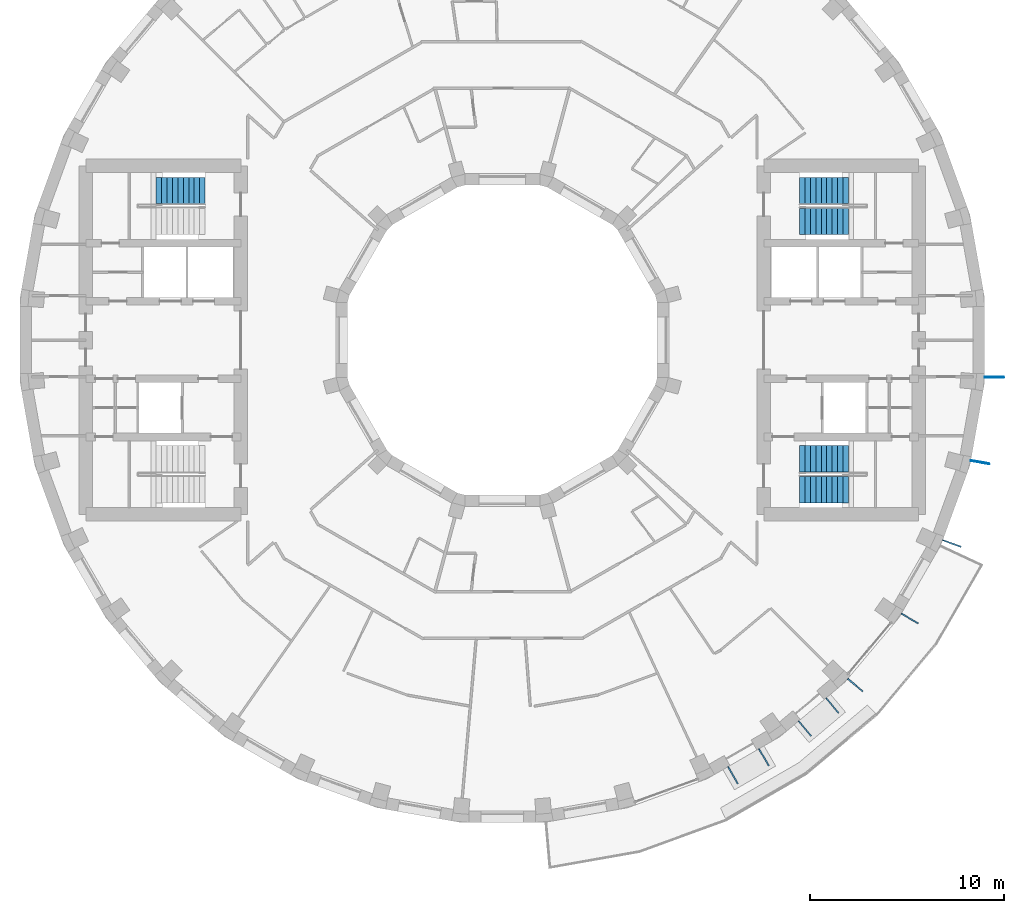
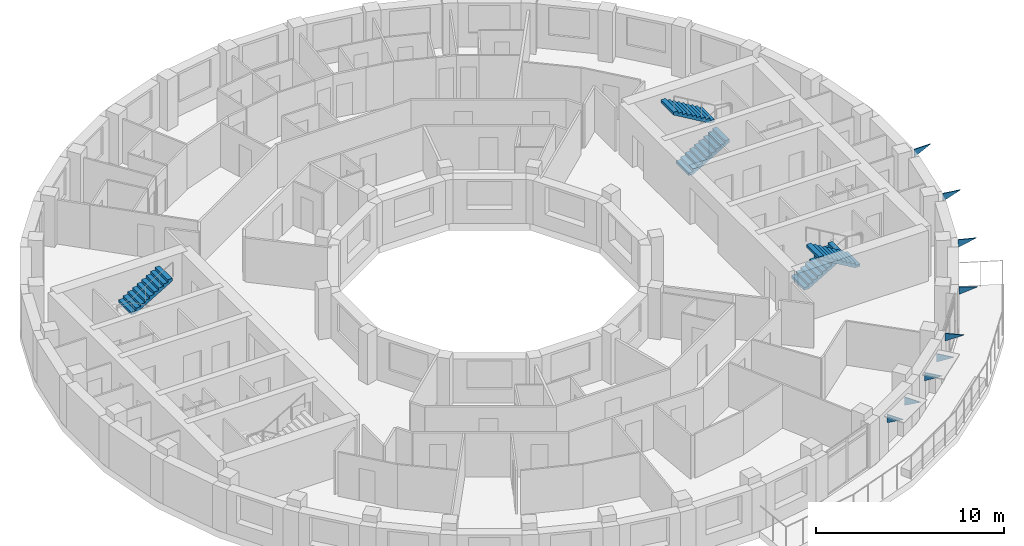
# One storey, part 14 of 15: 9 discrete accessories, 5 stair flights, 3 elements without a shape of their own.
"""IFC4 building model written with IfcOpenShell, lengths in metres."""

from ifc_helpers import new_model, si_unit, direction, frame, origin, place, context, subcontext, project, spatial, polyline, outline, extrude, material, layer, layer_set, type_object, element, aggregate, save


model = new_model("IFC4")

# Units and contexts
model_context = context("Model", 3, precision=1e-05, world=origin(), true_north=direction((0.0, 1.0)))
body_context = subcontext(model_context, "Body", "Model", "MODEL_VIEW")
ifc_project = project(units=[si_unit("LENGTHUNIT", "METRE"), si_unit("AREAUNIT", "SQUARE_METRE"), si_unit("VOLUMEUNIT", "CUBIC_METRE"), si_unit("PLANEANGLEUNIT", "RADIAN"), si_unit("MASSUNIT", "GRAM", prefix="KILO")], contexts=[model_context])

# Site, building, storey
site_placement = place(None, origin())
site = spatial("IfcSite", under=ifc_project, at=site_placement, CompositionType="ELEMENT")
building_placement = place(site_placement, origin())
building = spatial("IfcBuilding", under=site, at=building_placement, Name="Saqina Gate Tower", CompositionType="ELEMENT")
storey_placement = place(building_placement, frame((0.0, 0.0, 167.39990234375)))
storey = spatial("IfcBuildingStorey", under=building, at=storey_placement, Name="L47", CompositionType="ELEMENT", Elevation=167.39990234375)

# Stair, stair flights
ifc_material_1 = material(Name="Concrete C40/50", Category="concrete")
stair_type = type_object("IfcStairType", Name="EXIT STAIR", PredefinedType="HALF_TURN_STAIR", material=ifc_material_1)
stair_1_placement = place(storey_placement, origin())
stair_1 = element("IfcStair", 1, at=stair_1_placement, inside=storey, type_object=stair_type, Name="EXIT STAIR 1", PredefinedType="HALF_TURN_STAIR")
ifc_material_2 = material(Name="Concrete C40/50", Category="concrete")
stair_flight_type = type_object("IfcStairFlightType", Name="EXIT STAIR FLIGHT", PredefinedType="STRAIGHT", material=ifc_material_2)
stair_flight_1_placement = place(storey_placement, frame((15.35009765625, 6.125, 0.0), z_axis=(0.0, 0.0, 1.0), x_axis=(1.0, 0.0, 0.0)))
stair_flight_1 = element("IfcStairFlight", 2, at=stair_flight_1_placement, type_object=stair_flight_type, Name="EXIT STAIR 1 FLIGHT 1", NumberOfRisers=10, NumberOfTreads=9, PredefinedType="STRAIGHT", RiserHeight=0.165, TreadLength=0.28, context=body_context, shape_type="SweptSolid", body=[
    extrude(outline(polyline([(0.0, 0.0), (0.0, 0.1650390625), (0.280029296875, 0.1650390625), (0.280029296875, 0.330078125), (0.56005859375, 0.330078125), (0.56005859375, 0.4951171875), (0.840087890625, 0.4951171875), (0.840087890625, 0.659912109375), (1.1201171875, 0.659912109375), (1.1201171875, 0.824951171875), (1.39990234375, 0.824951171875), (1.39990234375, 0.989990234375), (1.679931640625, 0.989990234375), (1.679931640625, 1.155029296875), (1.9599609375, 1.155029296875), (1.9599609375, 1.320068359375), (2.239990234375, 1.320068359375), (2.239990234375, 1.485107421875), (2.52001953125, 1.485107421875), (2.52001953125, 1.64990234375), (2.52001953125, 1.31103515625), (0.295166015625, 0.0), (0.0, 0.0)])), frame((0.0, 0.675048828125, 0.0), z_axis=(0.0, -1.0, 0.0), x_axis=(1.0, 0.0, 0.0)), (0.0, 0.0, 1.0), 1.35009765625),
])
stair_flight_2_placement = place(storey_placement, frame((17.8701171875, 7.72509765625, 1.650146484375), z_axis=(0.0, 0.0, 1.0), x_axis=(-1.0, 0.0, 0.0)))
stair_flight_2 = element("IfcStairFlight", 3, at=stair_flight_2_placement, type_object=stair_flight_type, Name="EXIT STAIR 1 FLIGHT 2", NumberOfRisers=10, NumberOfTreads=9, PredefinedType="STRAIGHT", RiserHeight=0.165, TreadLength=0.28, context=body_context, shape_type="SweptSolid", body=[
    extrude(outline(polyline([(0.0, 0.0), (0.0, 0.1650390625), (0.280029296875, 0.1650390625), (0.280029296875, 0.330078125), (0.56005859375, 0.330078125), (0.56005859375, 0.4951171875), (0.840087890625, 0.4951171875), (0.840087890625, 0.659912109375), (1.1201171875, 0.659912109375), (1.1201171875, 0.824951171875), (1.39990234375, 0.824951171875), (1.39990234375, 0.989990234375), (1.679931640625, 0.989990234375), (1.679931640625, 1.155029296875), (1.9599609375, 1.155029296875), (1.9599609375, 1.320068359375), (2.239990234375, 1.320068359375), (2.239990234375, 1.485107421875), (2.52001953125, 1.485107421875), (2.52001953125, 1.64990234375), (2.52001953125, 1.31103515625), (0.295166015625, 0.0), (0.0, 0.0)])), frame((0.0, 0.675048828125, 0.0), z_axis=(0.0, -1.0, 0.0), x_axis=(1.0, 0.0, 0.0)), (0.0, 0.0, 1.0), 1.35009765625),
])
aggregate(stair_1, [stair_flight_1, stair_flight_2])

stair_2_placement = place(storey_placement, origin())
stair_2 = element("IfcStair", 4, at=stair_2_placement, inside=storey, type_object=stair_type, Name="EXIT STAIR 2", PredefinedType="HALF_TURN_STAIR")
stair_flight_3_placement = place(storey_placement, frame((15.35009765625, -6.125, 0.0), z_axis=(0.0, 0.0, 1.0), x_axis=(1.0, 0.0, 0.0)))
stair_flight_3 = element("IfcStairFlight", 5, at=stair_flight_3_placement, type_object=stair_flight_type, Name="EXIT STAIR 2 FLIGHT 1", NumberOfRisers=10, NumberOfTreads=9, PredefinedType="STRAIGHT", RiserHeight=0.165, TreadLength=0.28, context=body_context, shape_type="SweptSolid", body=[
    extrude(outline(polyline([(0.0, 0.0), (0.0, 0.1650390625), (0.280029296875, 0.1650390625), (0.280029296875, 0.330078125), (0.56005859375, 0.330078125), (0.56005859375, 0.4951171875), (0.840087890625, 0.4951171875), (0.840087890625, 0.659912109375), (1.1201171875, 0.659912109375), (1.1201171875, 0.824951171875), (1.39990234375, 0.824951171875), (1.39990234375, 0.989990234375), (1.679931640625, 0.989990234375), (1.679931640625, 1.155029296875), (1.9599609375, 1.155029296875), (1.9599609375, 1.320068359375), (2.239990234375, 1.320068359375), (2.239990234375, 1.485107421875), (2.52001953125, 1.485107421875), (2.52001953125, 1.64990234375), (2.52001953125, 1.31103515625), (0.295166015625, 0.0), (0.0, 0.0)])), frame((0.0, 0.675048828125, 0.0), z_axis=(0.0, -1.0, 0.0), x_axis=(1.0, 0.0, 0.0)), (0.0, 0.0, 1.0), 1.35009765625),
])
stair_flight_4_placement = place(storey_placement, frame((17.8701171875, -7.72509765625, 1.650146484375), z_axis=(0.0, 0.0, 1.0), x_axis=(-1.0, 0.0, 0.0)))
stair_flight_4 = element("IfcStairFlight", 6, at=stair_flight_4_placement, type_object=stair_flight_type, Name="EXIT STAIR 2 FLIGHT 2", NumberOfRisers=10, NumberOfTreads=9, PredefinedType="STRAIGHT", RiserHeight=0.165, TreadLength=0.28, context=body_context, shape_type="SweptSolid", body=[
    extrude(outline(polyline([(0.0, 0.0), (0.0, 0.1650390625), (0.280029296875, 0.1650390625), (0.280029296875, 0.330078125), (0.56005859375, 0.330078125), (0.56005859375, 0.4951171875), (0.840087890625, 0.4951171875), (0.840087890625, 0.659912109375), (1.1201171875, 0.659912109375), (1.1201171875, 0.824951171875), (1.39990234375, 0.824951171875), (1.39990234375, 0.989990234375), (1.679931640625, 0.989990234375), (1.679931640625, 1.155029296875), (1.9599609375, 1.155029296875), (1.9599609375, 1.320068359375), (2.239990234375, 1.320068359375), (2.239990234375, 1.485107421875), (2.52001953125, 1.485107421875), (2.52001953125, 1.64990234375), (2.52001953125, 1.31103515625), (0.295166015625, 0.0), (0.0, 0.0)])), frame((0.0, 0.675048828125, 0.0), z_axis=(0.0, -1.0, 0.0), x_axis=(1.0, 0.0, 0.0)), (0.0, 0.0, 1.0), 1.35009765625),
])
aggregate(stair_2, [stair_flight_3, stair_flight_4])

# Stair, stair flight
stair_3_placement = place(storey_placement, origin())
stair_3 = element("IfcStair", 7, at=stair_3_placement, inside=storey, type_object=stair_type, Name="EXIT STAIR 3", PredefinedType="HALF_TURN_STAIR")
stair_flight_5_placement = place(storey_placement, frame((-17.8701171875, 7.72509765625, 1.650146484375), z_axis=(0.0, 0.0, 1.0), x_axis=(1.0, 0.0, 0.0)))
stair_flight_5 = element("IfcStairFlight", 8, at=stair_flight_5_placement, type_object=stair_flight_type, Name="EXIT STAIR 3 FLIGHT 2", NumberOfRisers=10, NumberOfTreads=9, PredefinedType="STRAIGHT", RiserHeight=0.165, TreadLength=0.28, context=body_context, shape_type="SweptSolid", body=[
    extrude(outline(polyline([(0.0, 0.0), (0.0, 0.1650390625), (0.280029296875, 0.1650390625), (0.280029296875, 0.330078125), (0.56005859375, 0.330078125), (0.56005859375, 0.4951171875), (0.840087890625, 0.4951171875), (0.840087890625, 0.659912109375), (1.1201171875, 0.659912109375), (1.1201171875, 0.824951171875), (1.39990234375, 0.824951171875), (1.39990234375, 0.989990234375), (1.679931640625, 0.989990234375), (1.679931640625, 1.155029296875), (1.9599609375, 1.155029296875), (1.9599609375, 1.320068359375), (2.239990234375, 1.320068359375), (2.239990234375, 1.485107421875), (2.52001953125, 1.485107421875), (2.52001953125, 1.64990234375), (2.52001953125, 1.31103515625), (0.295166015625, 0.0), (0.0, 0.0)])), frame((0.0, 0.675048828125, 0.0), z_axis=(0.0, -1.0, 0.0), x_axis=(1.0, 0.0, 0.0)), (0.0, 0.0, 1.0), 1.35009765625),
])
aggregate(stair_3, [stair_flight_5])

# Discrete accessories
ifc_material_3 = material(Name="Galvanised steel", Category="steel")
ifc_layer_1 = layer(ifc_material_3, 0.050048828125)
ifc_layer_set_1 = layer_set([ifc_layer_1], Name="BR-AWNING")
discrete_accessory_type_1 = type_object("IfcDiscreteAccessoryType", Name="BR-AWNING", PredefinedType="BRACKET", material=ifc_layer_set_1)
for number, where, z_axis, x_axis, name in (
    (9, (11.673095703125, -22.018310546875, 1.97509765625), (0.866010750942, 0.50002537861, 0.0), (0.0, 0.0, 1.0), "Awning bracket L47 facet 30"),
    (10, (13.27490234375, -21.09326171875, 1.97509765625), (0.866010750942, 0.50002537861, 0.0), (0.0, 0.0, 1.0), "Awning bracket L47 facet 30"),
):
    element("IfcDiscreteAccessory", number, at=place(storey_placement, frame(where, z_axis=z_axis, x_axis=x_axis)), inside=storey, type_object=discrete_accessory_type_1, Name=name, PredefinedType="BRACKET", context=body_context, shape_type="SweptSolid", body=[
        extrude(outline(polyline([(0.0, 0.0), (0.550048828125, 0.0), (0.550048828125, 0.9999492453569568), (0.0, 0.0)])), origin(), (0.0, 0.0, -1.0), 0.050048828125),
    ])
for number, where, z_axis, x_axis, name in (
    (11, (15.319091796875, -19.65673828125, 1.97509765625), (0.765954930181, 0.642894271969, 0.0), (0.0, 0.0, 1.0), "Awning bracket L47 facet 31"),
    (12, (16.736083984375, -18.4677734375, 1.97509765625), (0.765954930181, 0.642894271969, 0.0), (0.0, 0.0, 1.0), "Awning bracket L47 facet 31"),
):
    element("IfcDiscreteAccessory", number, at=place(storey_placement, frame(where, z_axis=z_axis, x_axis=x_axis)), inside=storey, type_object=discrete_accessory_type_1, Name=name, PredefinedType="BRACKET", context=body_context, shape_type="SweptSolid", body=[
        extrude(outline(polyline([(0.0, 0.0), (0.550048828125, 0.0), (0.550048828125, 0.9998879966000863), (0.0, 0.0)])), origin(), (0.0, 0.0, -1.0), 0.050048828125),
    ])
ifc_material_4 = material(Name="Galvanised steel", Category="steel")
ifc_layer_2 = layer(ifc_material_4, 0.050048828125)
ifc_layer_set_2 = layer_set([ifc_layer_2], Name="BR-GUSSET")
discrete_accessory_type_2 = type_object("IfcDiscreteAccessoryType", Name="BR-GUSSET", PredefinedType="BRACKET", material=ifc_layer_set_2)
discrete_accessory_1_placement = place(storey_placement, frame((17.8544921875, -17.467041015625, 2.35009765625), z_axis=(0.64277405138, 0.766055819685, 0.0), x_axis=(0.0, 0.0, 1.0)))
element("IfcDiscreteAccessory", 13, at=discrete_accessory_1_placement, inside=storey, type_object=discrete_accessory_type_2, Name="Terrace slab bracket L48 1", PredefinedType="BRACKET", context=body_context, shape_type="SweptSolid", body=[
    extrude(outline(polyline([(0.0, 0.0), (0.5, 0.0), (0.5, 1.0000750096322275), (0.0, 0.0)])), origin(), (0.0, 0.0, -1.0), 0.050048828125),
])
discrete_accessory_2_placement = place(storey_placement, frame((20.6162109375, -14.101318359375, 2.35009765625), z_axis=(0.499919672301, 0.866071776036, 0.0), x_axis=(0.0, 0.0, 1.0)))
element("IfcDiscreteAccessory", 14, at=discrete_accessory_2_placement, inside=storey, type_object=discrete_accessory_type_2, Name="Terrace slab bracket L48 2", PredefinedType="BRACKET", context=body_context, shape_type="SweptSolid", body=[
    extrude(outline(polyline([(0.0, 0.0), (0.5, 0.0), (0.5, 1.0001606812130883), (0.0, 0.0)])), origin(), (0.0, 0.0, -1.0), 0.050048828125),
])
discrete_accessory_3_placement = place(storey_placement, frame((22.751708984375, -10.306884765625, 2.35009765625), z_axis=(0.34225263024, 0.939607969897, 0.0), x_axis=(0.0, 0.0, 1.0)))
element("IfcDiscreteAccessory", 15, at=discrete_accessory_3_placement, inside=storey, type_object=discrete_accessory_type_2, Name="Terrace slab bracket L48 3", PredefinedType="BRACKET", context=body_context, shape_type="SweptSolid", body=[
    extrude(outline(polyline([(0.0, 0.0), (0.5, 0.0), (0.5, 1.0000950350902602), (0.0, 0.0)])), origin(), (0.0, 0.0, -1.0), 0.050048828125),
])
discrete_accessory_4_placement = place(storey_placement, frame((24.19580078125, -6.19970703125, 2.35009765625), z_axis=(0.173576426815, 0.984820401928, 0.0), x_axis=(0.0, 0.0, 1.0)))
element("IfcDiscreteAccessory", 16, at=discrete_accessory_4_placement, inside=storey, type_object=discrete_accessory_type_2, Name="Terrace slab bracket L48 4", PredefinedType="BRACKET", context=body_context, shape_type="SweptSolid", body=[
    extrude(outline(polyline([(0.0, 0.0), (0.5, 0.0), (0.5, 1.000043540245132), (0.0, 0.0)])), origin(), (0.0, 0.0, -1.0), 0.050048828125),
])
discrete_accessory_5_placement = place(storey_placement, frame((24.90478515625, -1.90380859375, 2.35009765625), z_axis=(0.0, 1.0, 0.0), x_axis=(0.0, 0.0, 1.0)))
element("IfcDiscreteAccessory", 17, at=discrete_accessory_5_placement, inside=storey, type_object=discrete_accessory_type_2, Name="Terrace slab bracket L48 5", PredefinedType="BRACKET", context=body_context, shape_type="SweptSolid", body=[
    extrude(outline(polyline([(0.0, 0.0), (0.5, 0.0), (0.5, 1.0), (0.0, 0.0)])), origin(), (0.0, 0.0, -1.0), 0.050048828125),
])

save(model, "model.ifc")
